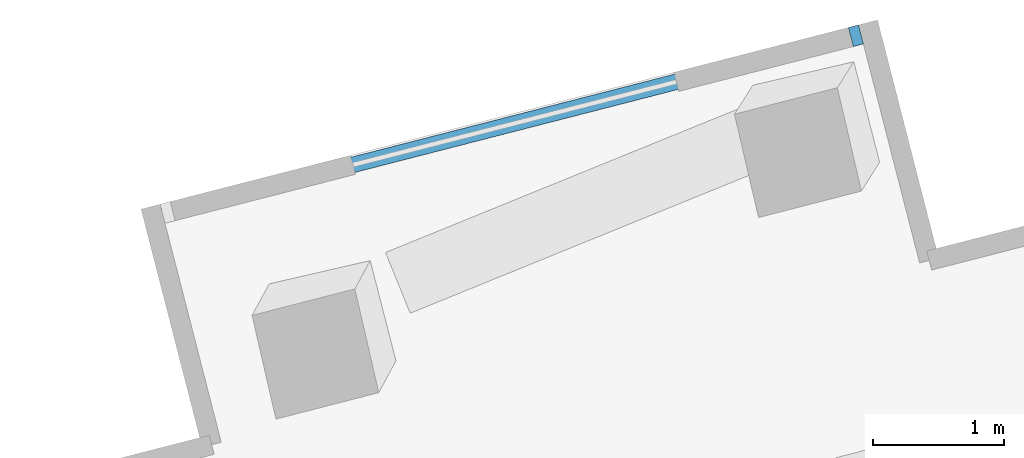
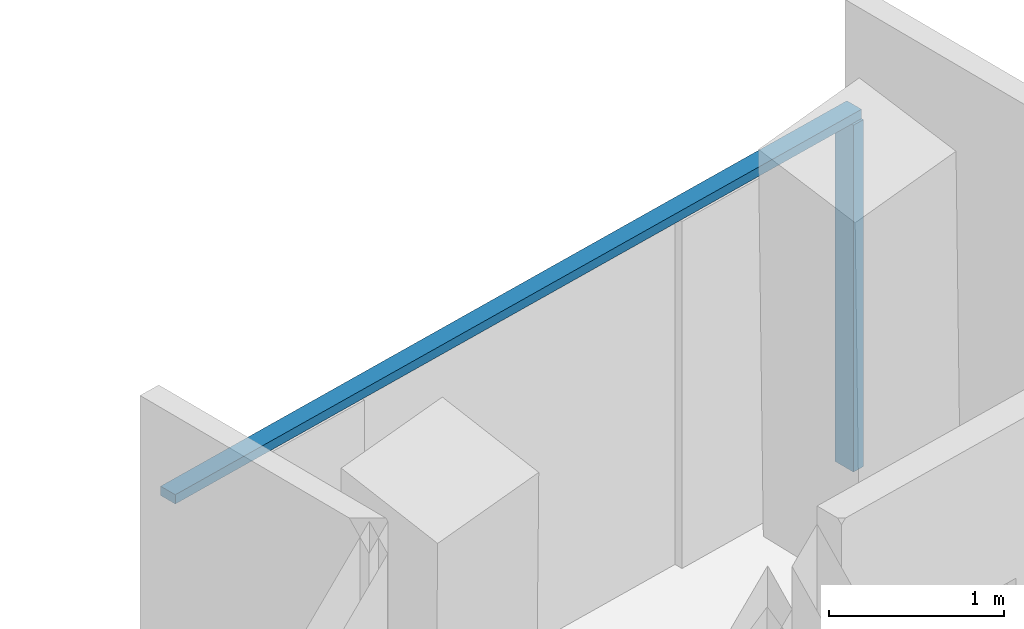
# One storey, part 12 of 26: 2 members, 1 element without a shape of its own.
"""IFC4 building model written with IfcOpenShell, lengths in metres."""

from ifc_helpers import new_model, si_unit, direction, frame, origin, origin_2d, place, context, subcontext, project, spatial, rectangle, extrude, material, layer, layer_set, material_profile, profile_set, type_object, element, aggregate, save


model = new_model("IFC4")

# Units and contexts
model_context = context("Model", 3, precision=1e-05, world=origin(), true_north=direction((0.0, 1.0)))
body_context = subcontext(model_context, "Body", "Model", "MODEL_VIEW")
ifc_project = project(units=[si_unit("LENGTHUNIT", "METRE"), si_unit("AREAUNIT", "SQUARE_METRE"), si_unit("VOLUMEUNIT", "CUBIC_METRE"), si_unit("PLANEANGLEUNIT", "RADIAN"), si_unit("MASSUNIT", "GRAM", prefix="KILO")], contexts=[model_context])

# Site, building, storey
site_placement = place(None, origin())
site = spatial("IfcSite", under=ifc_project, at=site_placement, CompositionType="ELEMENT")
building_placement = place(site_placement, origin())
building = spatial("IfcBuilding", under=site, at=building_placement, Name="Verdalira Terraces Hotel", CompositionType="ELEMENT")
storey_placement = place(building_placement, frame((0.0, 0.0, 93.0)))
storey = spatial("IfcBuildingStorey", under=building, at=storey_placement, Name="L21", CompositionType="ELEMENT", Elevation=93.0)

# Curtain wall, members
ifc_material_1 = material(Name="Clear glass", Category="glass")
ifc_layer = layer(ifc_material_1, 0.14990234375)
ifc_layer_set = layer_set([ifc_layer], Name="CW3 curtain wall")
curtain_wall_type = type_object("IfcCurtainWallType", Name="CW3 curtain wall", PredefinedType="NOTDEFINED", material=ifc_layer_set)
curtain_wall_placement = place(storey_placement, origin())
curtain_wall = element("IfcCurtainWall", 1, at=curtain_wall_placement, inside=storey, type_object=curtain_wall_type, Name="CW3 curtain wall L21 edge 5", PredefinedType="NOTDEFINED")
ifc_material_2 = material(Name="Terracotta frame", Category="masonry")
ifc_material_profile_1 = material_profile(ifc_material_2, rectangle(XDim=0.080078, YDim=0.149902, at=origin_2d()), Name="MU 80x150")
ifc_profile_set_1 = profile_set([ifc_material_profile_1], Name="Terracotta frame")
member_type_1 = type_object("IfcMemberType", Name="CW3 mullion 80x150", PredefinedType="MULLION", material=ifc_profile_set_1)
member_1_placement = place(storey_placement, frame((-5.857178, 33.709717, 0.0), z_axis=(0.0, 0.0, 1.0), x_axis=(-0.968583161, -0.248689887, 0.0)))
member_1 = element("IfcMember", 2, at=member_1_placement, type_object=member_type_1, Name="CW3 mullion", PredefinedType="MULLION", context=body_context, shape_type="SweptSolid", body=[
    extrude(rectangle(XDim=0.080078, YDim=0.149902, at=origin_2d()), origin(), (0.0, 0.0, 1.0), 2.425049),
])
ifc_material_3 = material(Name="Terracotta frame", Category="masonry")
ifc_material_profile_2 = material_profile(ifc_material_3, rectangle(XDim=0.120117, YDim=0.064941, at=origin_2d()), Name="TR 65x120")
ifc_profile_set_2 = profile_set([ifc_material_profile_2], Name="Terracotta frame")
member_type_2 = type_object("IfcMemberType", Name="CW3 transom 65x120", PredefinedType="USERDEFINED", material=ifc_profile_set_2)
member_2_placement = place(storey_placement, frame((-5.818604, 33.719727, 2.45752), z_axis=(-0.968577, -0.248713883, 0.0), x_axis=(0.248713883, -0.968577, 0.0)))
member_2 = element("IfcMember", 3, at=member_2_placement, type_object=member_type_2, Name="CW3 transom", ObjectType="TRANSOM", PredefinedType="USERDEFINED", context=body_context, shape_type="SweptSolid", body=[
    extrude(rectangle(XDim=0.120117, YDim=0.064941, at=origin_2d()), origin(), (0.0, 0.0, 1.0), 5.5),
])
aggregate(curtain_wall, [member_1, member_2])

save(model, "model.ifc")
